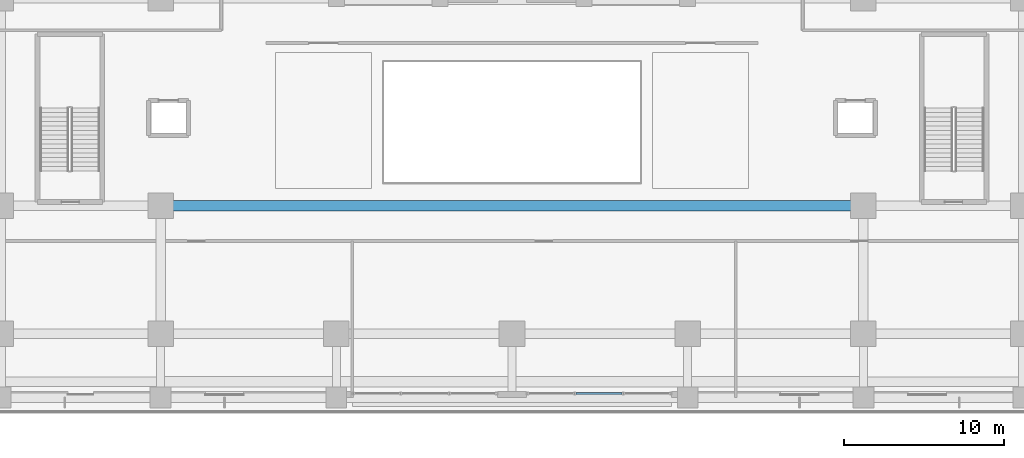
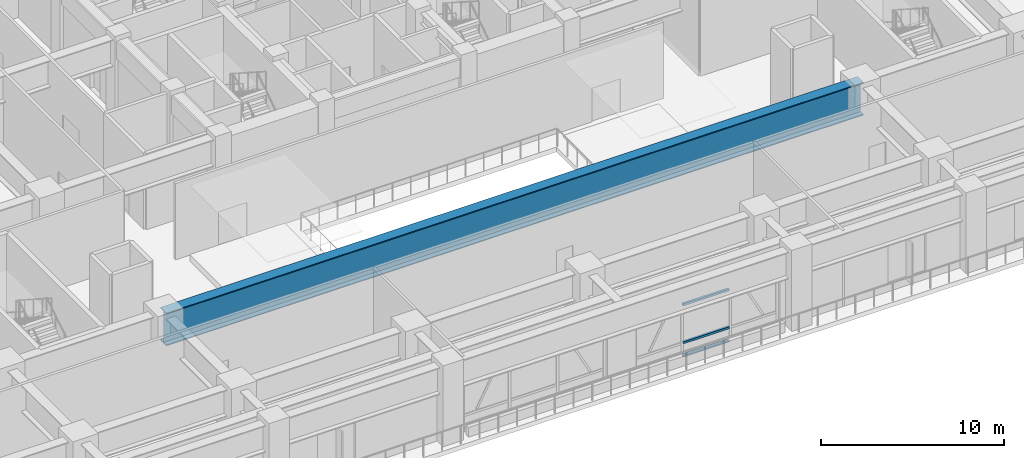
# One storey, part 7 of 28: 3 members, 1 beam, 1 element without a shape of its own.
"""IFC4 building model written with IfcOpenShell, lengths in metres."""

import ifcopenshell
import ifcopenshell.guid

model = None  # the IFC model being written
_history = None  # IfcOwnerHistory: only IFC2X3 demands one
_inside = {}  # id of a spatial element -> (the spatial element, [elements in it])
_under = {}  # id of a project, library or spatial element -> (it, [spatial elements below it])
_declared = {}  # id of a project -> (the project, [libraries it declares])
_typed = {}  # id of a type object -> (the type object, [elements of that type])
_made_of = {}  # id of a material, layer set ... -> (it, [elements and type objects made of it])


def new_model(schema):
    """Start an empty IFC model of exactly this schema.

    Asked for "IFC4X3", IfcOpenShell would pick the latest addendum, in which some entities
    have other attributes; the version numbers below select the first issue.
    IFC2X3 requires an IfcOwnerHistory on every rooted entity: one is made here for all.
    """
    global model, _history
    if schema == "IFC4X3":
        model = ifcopenshell.file(schema_version=(4, 3, 0, 0))
    else:
        model = ifcopenshell.file(schema=schema)
    _inside.clear()
    _under.clear()
    _declared.clear()
    _typed.clear()
    _made_of.clear()
    _history = None
    if model.schema == "IFC2X3":
        org = make("IfcOrganization", Name="unknown")
        user = make(
            "IfcPersonAndOrganization",
            ThePerson=make("IfcPerson", FamilyName="unknown"),
            TheOrganization=org,
        )
        app = make(
            "IfcApplication",
            ApplicationDeveloper=org,
            Version="unknown",
            ApplicationFullName="unknown",
            ApplicationIdentifier="unknown",
        )
        _history = make(
            "IfcOwnerHistory",
            OwningUser=user,
            OwningApplication=app,
            ChangeAction="ADDED",
            CreationDate=0,
        )
    return model


def make(cls, **values):
    """One entity of the class cls with the attributes given. An attribute that is None is left unset."""
    return model.create_entity(
        cls, **{name: value for name, value in values.items() if value is not None}
    )


def rooted(cls, **values):
    """An entity with a GlobalId (a new one), such as an element, a storey or a relation."""
    return make(cls, GlobalId=ifcopenshell.guid.new(), OwnerHistory=_history, **values)


def si_unit(unit_type, name, prefix=None):
    """IfcSIUnit, for example si_unit("LENGTHUNIT", "METRE", prefix="MILLI")."""
    return make("IfcSIUnit", UnitType=unit_type, Prefix=prefix, Name=name)


def assignment(units):
    """IfcUnitAssignment: the units of a project."""
    return None if units is None else make("IfcUnitAssignment", Units=units)


def point(xyz):
    """IfcCartesianPoint."""
    return None if xyz is None else make("IfcCartesianPoint", Coordinates=xyz)


def direction(xyz):
    """IfcDirection."""
    return None if xyz is None else make("IfcDirection", DirectionRatios=xyz)


def frame(location, z_axis=None, x_axis=None):
    """IfcAxis2Placement3D, a coordinate frame: its origin and axes. An axis left out is left unset."""
    return make(
        "IfcAxis2Placement3D",
        Location=point(location),
        Axis=direction(z_axis),
        RefDirection=direction(x_axis),
    )


def frame_2d(location, x_axis=None):
    """IfcAxis2Placement2D, a coordinate frame in the plane: its origin and x axis."""
    return make(
        "IfcAxis2Placement2D", Location=point(location), RefDirection=direction(x_axis)
    )


def origin():
    """The frame at (0, 0, 0) with its axes left unset."""
    return frame((0.0, 0.0, 0.0))


def origin_2d():
    """The frame at (0, 0) in the plane with its x axis left unset."""
    return frame_2d((0.0, 0.0))


def place(relative_to, where):
    """IfcLocalPlacement: puts the frame where relative to a parent placement (None: the world)."""
    return make(
        "IfcLocalPlacement", PlacementRelTo=relative_to, RelativePlacement=where
    )


def context(
    kind, dimensions, precision=None, world=None, true_north=None, identifier=None
):
    """IfcGeometricRepresentationContext, for example the 3D "Model" context."""
    return make(
        "IfcGeometricRepresentationContext",
        ContextIdentifier=identifier,
        ContextType=kind,
        CoordinateSpaceDimension=dimensions,
        Precision=precision,
        WorldCoordinateSystem=world,
        TrueNorth=true_north,
    )


def subcontext(parent, identifier, kind, view, scale=None):
    """IfcGeometricRepresentationSubContext, for example "Body" below "Model"."""
    return make(
        "IfcGeometricRepresentationSubContext",
        ContextIdentifier=identifier,
        ContextType=kind,
        ParentContext=parent,
        TargetScale=scale,
        TargetView=view,
    )


def project(units=None, contexts=None):
    """IfcProject with its units and contexts."""
    return rooted(
        "IfcProject",
        Name="project",
        RepresentationContexts=contexts,
        UnitsInContext=assignment(units),
    )


def spatial(cls, under=None, at=None, **own):
    """A site, building, storey or space (cls), placed at a placement, below another one or the project."""
    s = rooted(cls, ObjectPlacement=at, **own)
    if under is not None:
        _under.setdefault(under.id(), (under, []))[1].append(s)
    return s


def profile(cls, at=None, kind="AREA", **sizes):
    """A parametric profile (cls). Its sizes go by their IFC names, for example OverallWidth=200.0."""
    return make(cls, ProfileType=kind, Position=at, **sizes)


def hollow_rectangle(**sizes):
    """IfcRectangleHollowProfileDef."""
    return profile("IfcRectangleHollowProfileDef", **sizes)


def i_section(**sizes):
    """IfcIShapeProfileDef."""
    return profile("IfcIShapeProfileDef", **sizes)


def extrude(swept, where, along, depth):
    """IfcExtrudedAreaSolid: the profile swept, set in the frame where, extruded along a direction by depth."""
    return make(
        "IfcExtrudedAreaSolid",
        SweptArea=swept,
        Position=where,
        ExtrudedDirection=direction(along),
        Depth=depth,
    )


def shape(context_of_items, identifier, shape_type, items):
    """IfcShapeRepresentation: the items that make up one representation, for example the "Body"."""
    return make(
        "IfcShapeRepresentation",
        ContextOfItems=context_of_items,
        RepresentationIdentifier=identifier,
        RepresentationType=shape_type,
        Items=items,
    )


def source(mapping_origin, context_of_items, identifier, shape_type, items):
    """IfcRepresentationMap: a shape defined once, which mapped items show again and again."""
    return make(
        "IfcRepresentationMap",
        MappingOrigin=mapping_origin,
        MappedRepresentation=shape(context_of_items, identifier, shape_type, items),
    )


def transform(
    local_origin,
    x_axis=None,
    y_axis=None,
    z_axis=None,
    scale=None,
    scale2=None,
    scale3=None,
    uniform=True,
):
    """IfcCartesianTransformationOperator3D, or its non-uniform kind. x_axis, y_axis, z_axis: its Axis1, 2, 3."""
    if uniform:
        return make(
            "IfcCartesianTransformationOperator3D",
            Axis1=direction(x_axis),
            Axis2=direction(y_axis),
            LocalOrigin=point(local_origin),
            Scale=scale,
            Axis3=direction(z_axis),
        )
    return make(
        "IfcCartesianTransformationOperator3DnonUniform",
        Axis1=direction(x_axis),
        Axis2=direction(y_axis),
        LocalOrigin=point(local_origin),
        Scale=scale,
        Axis3=direction(z_axis),
        Scale2=scale2,
        Scale3=scale3,
    )


def mapped(mapping_source, mapping_target):
    """IfcMappedItem: shows the shape of a source again, moved by a transform."""
    return make(
        "IfcMappedItem", MappingSource=mapping_source, MappingTarget=mapping_target
    )


def material(Name=None, Category=None):
    """IfcMaterial."""
    return make("IfcMaterial", Name=Name, Category=Category)


def material_profile(
    of_material, cross_section, Name=None, Category=None, Priority=None
):
    """IfcMaterialProfile: a cross section and its material."""
    return make(
        "IfcMaterialProfile",
        Name=Name,
        Material=of_material,
        Profile=cross_section,
        Priority=Priority,
        Category=Category,
    )


def profile_set(profiles, Name=None, composite=None):
    """IfcMaterialProfileSet."""
    return make(
        "IfcMaterialProfileSet",
        Name=Name,
        MaterialProfiles=profiles,
        CompositeProfile=composite,
    )


def made_of(thing, what):
    """Note that an element or type object is made of a material, layer set ...; save() writes the relation."""
    if what is not None:
        _made_of.setdefault(what.id(), (what, []))[1].append(thing)
    return thing


def type_object(cls, material=None, **own):
    """A type object (cls), such as IfcWallType, which elements share."""
    return made_of(rooted(cls, **own), material)


def element(
    cls,
    number,
    at=None,
    inside=None,
    cuts=None,
    type_object=None,
    material=None,
    context=None,
    identifier="Body",
    shape_type=None,
    held_by="IfcProductDefinitionShape",
    body=None,
    shapes=None,
    **own,
):
    """One element of the class cls, such as IfcWall. Its Tag is "e" and its number.

    at: its placement. inside: the storey or other place that contains it. cuts: it is an
    opening in that element (IfcRelVoidsElement). A single representation is given by context,
    identifier, shape_type and body (its items); several are given by shapes. held_by: the class
    of the entity that holds the representations. save() writes the other relations.
    """
    e = rooted(cls, Tag="e%d" % number, ObjectPlacement=at, **own)
    if body is not None:
        shapes = [shape(context, identifier, shape_type, body)]
    if shapes is not None:
        e.Representation = make(held_by, Representations=shapes)
    if inside is not None:
        _inside.setdefault(inside.id(), (inside, []))[1].append(e)
    if cuts is not None:
        rooted(
            "IfcRelVoidsElement", RelatingBuildingElement=cuts, RelatedOpeningElement=e
        )
    if type_object is not None:
        _typed.setdefault(type_object.id(), (type_object, []))[1].append(e)
    return made_of(e, material)


def aggregate(whole, parts):
    """IfcRelAggregates: a whole, such as a stair, and the parts it consists of."""
    return rooted("IfcRelAggregates", RelatingObject=whole, RelatedObjects=parts)


def save(model, path):
    """Write the relations noted so far, then the file.

    IfcRelAggregates (storeys below a building ...), IfcRelContainedInSpatialStructure (elements
    in a storey), IfcRelDefinesByType, IfcRelAssociatesMaterial and IfcRelDeclares: one each for
    every whole, place, type object, material and project.
    """
    for whole, parts in _under.values():
        aggregate(whole, parts)
    for where, things in _inside.values():
        rooted(
            "IfcRelContainedInSpatialStructure",
            RelatedElements=things,
            RelatingStructure=where,
        )
    for kind, things in _typed.values():
        rooted("IfcRelDefinesByType", RelatedObjects=things, RelatingType=kind)
    for what, things in _made_of.values():
        rooted("IfcRelAssociatesMaterial", RelatedObjects=things, RelatingMaterial=what)
    for by, libraries in _declared.values():
        rooted("IfcRelDeclares", RelatingContext=by, RelatedDefinitions=libraries)
    model.write(path)


model = new_model("IFC4")

# Units and contexts
model_context = context("Model", 3, precision=1e-05, world=origin(), true_north=direction((0.0, 1.0)))
body_context = subcontext(model_context, "Body", "Model", "MODEL_VIEW")
ifc_project = project(units=[si_unit("LENGTHUNIT", "METRE"), si_unit("AREAUNIT", "SQUARE_METRE"), si_unit("VOLUMEUNIT", "CUBIC_METRE"), si_unit("PLANEANGLEUNIT", "RADIAN"), si_unit("MASSUNIT", "GRAM", prefix="KILO")], contexts=[model_context])

# Site, building, storey
site_placement = place(None, origin())
site = spatial("IfcSite", under=ifc_project, at=site_placement, CompositionType="ELEMENT")
building_placement = place(site_placement, origin())
building = spatial("IfcBuilding", under=site, at=building_placement, Name="Khorayat Bourse Tower", CompositionType="ELEMENT")
storey_placement = place(building_placement, frame((0.0, 0.0, 12.0)))
storey = spatial("IfcBuildingStorey", under=building, at=storey_placement, Name="L02", CompositionType="ELEMENT", Elevation=12.0)

# Beam
ifc_material_1 = material(Name="Steel EN 10025-4 S460M", Category="steel")
ifc_material_profile_1 = material_profile(ifc_material_1, i_section(OverallWidth=0.64990234375, OverallDepth=2.199951171875, WebThickness=0.035888671875, FlangeThickness=0.06494140625, at=origin_2d()), Name="PG 2200x650x36x65")
ifc_profile_set_1 = profile_set([ifc_material_profile_1], Name="Steel EN 10025-4 S460M")
beam_type = type_object("IfcBeamType", Name="BM-TR-2200", PredefinedType="BEAM", material=ifc_profile_set_1)
shared_shape_1 = source(origin(), body_context, "Body", "SweptSolid", [
    extrude(i_section(OverallWidth=0.64990234375, OverallDepth=2.199951171875, WebThickness=0.035888671875, FlangeThickness=0.06494140625, at=origin_2d()), origin(), (0.0, 0.0, 1.0), 44.0),
])
beam_placement = place(storey_placement, frame((-22.0, -24.0, 3.97998046875), z_axis=(1.0, 0.0, 0.0), x_axis=(0.0, 1.0, 0.0)))
element("IfcBeam", 1, at=beam_placement, inside=storey, type_object=beam_type, Name="L02 BM-TR-2200 BM-L02-PGX-046", PredefinedType="BEAM", context=body_context, shape_type="MappedRepresentation", body=[
    mapped(shared_shape_1, transform((0.0, 0.0, 0.0), scale=1.0)),
])

# Curtain wall, members
ifc_material_2 = material(Name="Aluminium EN AW-6063 T6", Category="aluminium")
curtain_wall_type = type_object("IfcCurtainWallType", Name="CW-SYS-01", PredefinedType="NOTDEFINED", material=ifc_material_2)
curtain_wall_placement = place(storey_placement, origin())
curtain_wall = element("IfcCurtainWall", 2, at=curtain_wall_placement, inside=storey, type_object=curtain_wall_type, Name="L02 Curtain Wall CW-L02-SE", PredefinedType="NOTDEFINED")
ifc_material_profile_2 = material_profile(ifc_material_2, hollow_rectangle(XDim=0.139892578125, YDim=0.139892578125, WallThickness=0.006103515625, at=origin_2d()), Name="ALU 140x140x6")
ifc_profile_set_2 = profile_set([ifc_material_profile_2], Name="Aluminium EN AW-6063 T6")
member_type = type_object("IfcMemberType", Name="CWT-HORZ-140", PredefinedType="USERDEFINED", material=ifc_profile_set_2)
shared_shape_2 = source(origin(), body_context, "Body", "SweptSolid", [
    extrude(hollow_rectangle(XDim=0.139892578125, YDim=0.139892578125, WallThickness=0.006103515625, at=origin_2d()), origin(), (0.0, 0.0, 1.0), 2.893310546875),
])
member_1_placement = place(storey_placement, frame((4.00341796875, -35.742919921875, 0.070068359375), z_axis=(1.0, 0.0, 0.0), x_axis=(0.0, 1.0, 0.0)))
member_1 = element("IfcMember", 3, at=member_1_placement, type_object=member_type, Name="CW-L02-SE Horizontal Transom 2-1", ObjectType="TRANSOM", PredefinedType="USERDEFINED", context=body_context, shape_type="MappedRepresentation", body=[
    mapped(shared_shape_2, transform((0.0, 0.0, 0.0), scale=1.0)),
])
member_2_placement = place(storey_placement, frame((4.00341796875, -35.742919921875, 0.949951171875), z_axis=(1.0, 0.0, 0.0), x_axis=(0.0, 1.0, 0.0)))
member_2 = element("IfcMember", 4, at=member_2_placement, type_object=member_type, Name="CW-L02-SE Horizontal Transom 2-2", ObjectType="TRANSOM", PredefinedType="USERDEFINED", context=body_context, shape_type="MappedRepresentation", body=[
    mapped(shared_shape_2, transform((0.0, 0.0, 0.0), scale=1.0)),
])
member_3_placement = place(storey_placement, frame((4.00341796875, -35.742919921875, 3.47998046875), z_axis=(1.0, 0.0, 0.0), x_axis=(0.0, 1.0, 0.0)))
member_3 = element("IfcMember", 5, at=member_3_placement, type_object=member_type, Name="CW-L02-SE Horizontal Transom 2-3", ObjectType="TRANSOM", PredefinedType="USERDEFINED", context=body_context, shape_type="MappedRepresentation", body=[
    mapped(shared_shape_2, transform((0.0, 0.0, 0.0), scale=1.0)),
])
aggregate(curtain_wall, [member_1, member_2, member_3])

save(model, "model.ifc")
